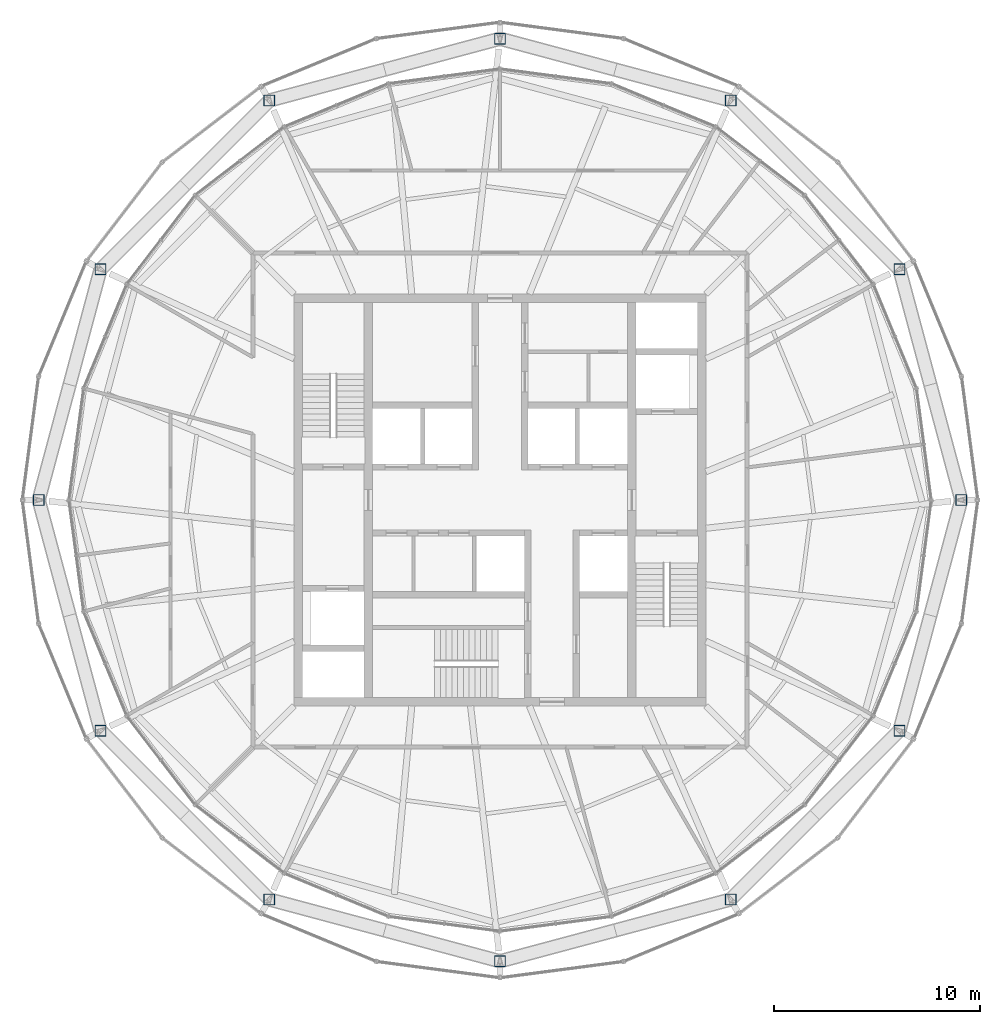
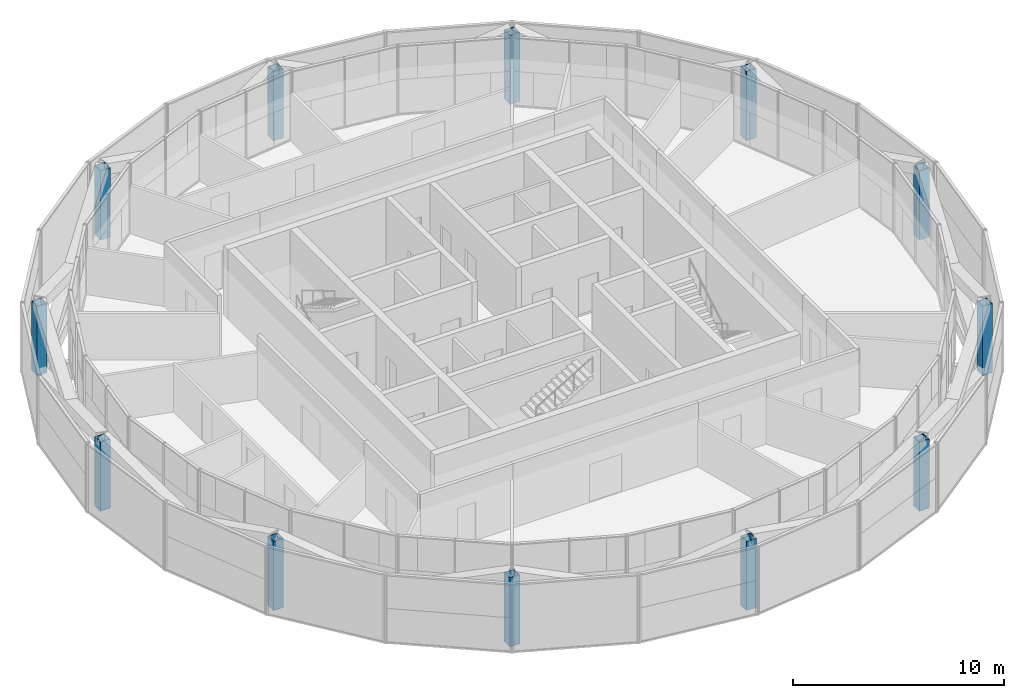
# One storey, part 1 of 17: 12 columns.
"""IFC4 building model written with IfcOpenShell, lengths in metres."""

from ifc_helpers import new_model, si_unit, direction, frame, origin, origin_2d, place, context, subcontext, project, spatial, hollow_rectangle, extrude, material, material_profile, profile_set, type_object, element, save


model = new_model("IFC4")

# Units and contexts
model_context = context("Model", 3, precision=1e-05, world=origin(), true_north=direction((0.0, 1.0)))
body_context = subcontext(model_context, "Body", "Model", "MODEL_VIEW")
ifc_project = project(units=[si_unit("LENGTHUNIT", "METRE"), si_unit("AREAUNIT", "SQUARE_METRE"), si_unit("VOLUMEUNIT", "CUBIC_METRE"), si_unit("PLANEANGLEUNIT", "RADIAN"), si_unit("MASSUNIT", "GRAM", prefix="KILO")], contexts=[model_context])

# Site, building, storey
site_placement = place(None, origin())
site = spatial("IfcSite", under=ifc_project, at=site_placement, CompositionType="ELEMENT")
building_placement = place(site_placement, origin())
building = spatial("IfcBuilding", under=site, at=building_placement, Name="Golbaran Civic Tower", CompositionType="ELEMENT")
storey_placement = place(building_placement, frame((0.0, 0.0, 280.0)))
storey = spatial("IfcBuildingStorey", under=building, at=storey_placement, Name="L68", CompositionType="ELEMENT", Elevation=280.0)

# Columns
ifc_material = material(Name="Steel S355", Category="steel")
ifc_material_profile = material_profile(ifc_material, hollow_rectangle(XDim=0.550048828125, YDim=0.550048828125, WallThickness=0.0400390625, at=origin_2d()), Name="BOX 550x550x40")
ifc_profile_set = profile_set([ifc_material_profile], Name="Steel S355")
column_type = type_object("IfcColumnType", Name="CROWN FRAME POST BOX 550x550x40", PredefinedType="COLUMN", material=ifc_profile_set)
for number, where, z_axis, x_axis, name in (
    (1, (22.39990234375, 0.0, -0.7099609375), (0.0, 0.0, 1.0), (1.0, 0.0, 0.0), "Crown post 1"),
    (2, (19.39892578125, 11.199951171875, -0.7099609375), (0.0, 0.0, 1.0), (1.0, 0.0, 0.0), "Crown post 2"),
    (3, (11.199951171875, 19.39892578125, -0.7099609375), (0.0, 0.0, 1.0), (1.0, 0.0, 0.0), "Crown post 3"),
    (4, (0.0, 22.39990234375, -0.7099609375), (0.0, 0.0, 1.0), (1.0, 0.0, 0.0), "Crown post 4"),
    (5, (-11.199951171875, 19.39892578125, -0.7099609375), (0.0, 0.0, 1.0), (1.0, 0.0, 0.0), "Crown post 5"),
    (6, (-19.39892578125, 11.199951171875, -0.7099609375), (0.0, 0.0, 1.0), (1.0, 0.0, 0.0), "Crown post 6"),
    (7, (-22.39990234375, 0.0, -0.7099609375), (0.0, 0.0, 1.0), (1.0, 0.0, 0.0), "Crown post 7"),
    (8, (-19.39892578125, -11.199951171875, -0.7099609375), (0.0, 0.0, 1.0), (1.0, 0.0, 0.0), "Crown post 8"),
    (9, (-11.199951171875, -19.39892578125, -0.7099609375), (0.0, 0.0, 1.0), (1.0, 0.0, 0.0), "Crown post 9"),
    (10, (0.0, -22.39990234375, -0.7099609375), (0.0, 0.0, 1.0), (1.0, 0.0, 0.0), "Crown post 10"),
    (11, (11.199951171875, -19.39892578125, -0.7099609375), (0.0, 0.0, 1.0), (1.0, 0.0, 0.0), "Crown post 11"),
    (12, (19.39892578125, -11.199951171875, -0.7099609375), (0.0, 0.0, 1.0), (1.0, 0.0, 0.0), "Crown post 12"),
):
    element("IfcColumn", number, at=place(storey_placement, frame(where, z_axis=z_axis, x_axis=x_axis)), inside=storey, type_object=column_type, Name=name, PredefinedType="COLUMN", context=body_context, shape_type="SweptSolid", body=[
        extrude(hollow_rectangle(XDim=0.550048828125, YDim=0.550048828125, WallThickness=0.0400390625, at=origin_2d()), origin(), (0.0, 0.0, 1.0), 4.0),
    ])

save(model, "model.ifc")
